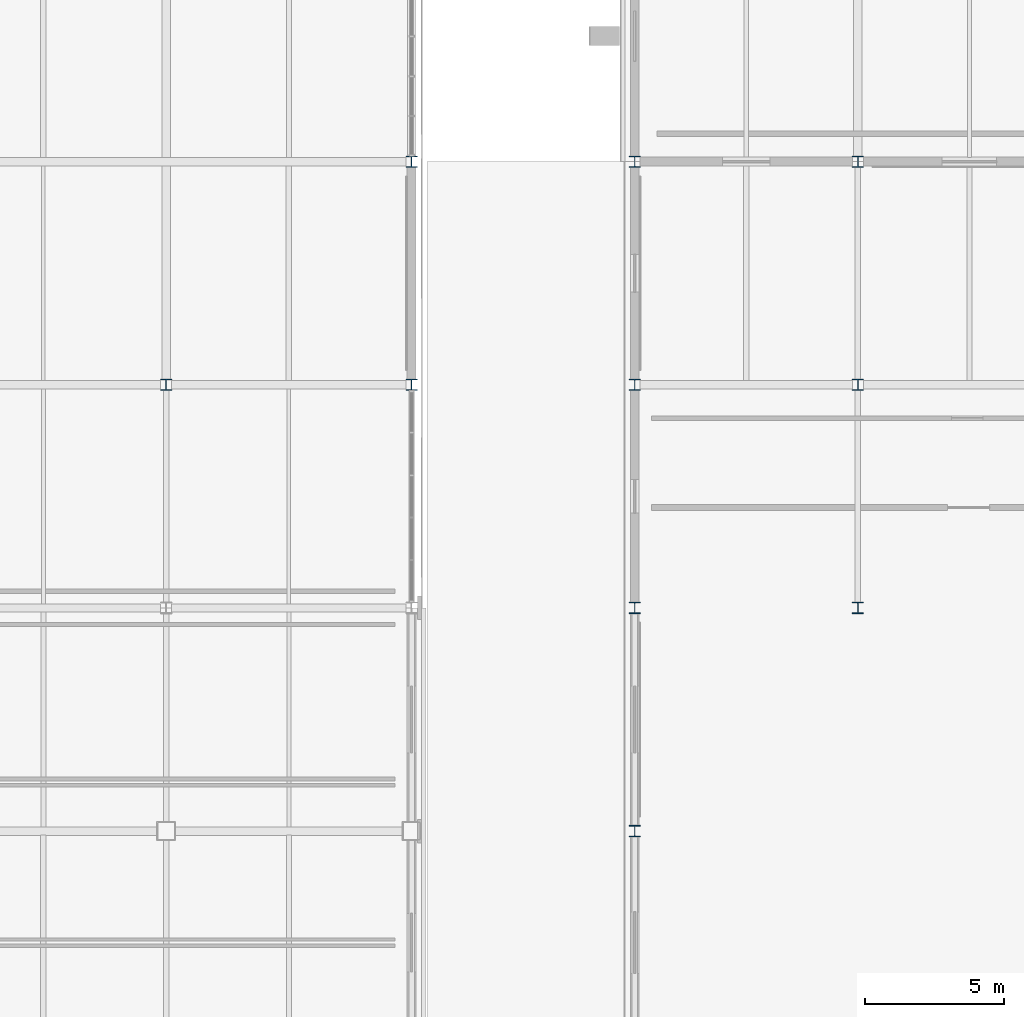
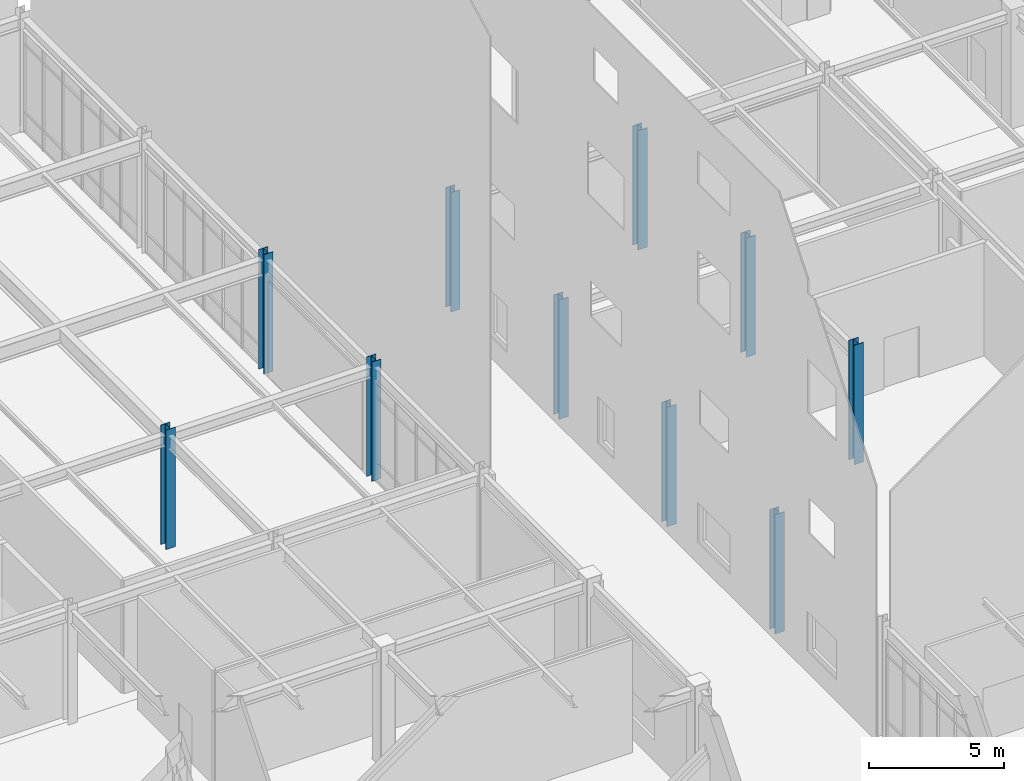
# One storey, part 11 of 119: 10 columns.
"""IFC4 building model written with IfcOpenShell, lengths in metres."""

from ifc_helpers import new_model, si_unit, direction, frame, origin, origin_2d, place, context, subcontext, project, spatial, i_section, extrude, material, material_profile, profile_set, type_object, element, save


model = new_model("IFC4")

# Units and contexts
model_context = context("Model", 3, precision=1e-05, world=origin(), true_north=direction((0.0, 1.0)))
body_context = subcontext(model_context, "Body", "Model", "MODEL_VIEW")
ifc_project = project(units=[si_unit("LENGTHUNIT", "METRE"), si_unit("AREAUNIT", "SQUARE_METRE"), si_unit("VOLUMEUNIT", "CUBIC_METRE"), si_unit("PLANEANGLEUNIT", "RADIAN"), si_unit("MASSUNIT", "GRAM", prefix="KILO")], contexts=[model_context])

# Site, building, storey
site_placement = place(None, origin())
site = spatial("IfcSite", under=ifc_project, at=site_placement, CompositionType="ELEMENT")
building_placement = place(site_placement, origin())
building = spatial("IfcBuilding", under=site, at=building_placement, Name="Zhaolan Boulevard Law Courts", CompositionType="ELEMENT")
storey_placement = place(building_placement, origin())
storey = spatial("IfcBuildingStorey", under=building, at=storey_placement, Name="L00", CompositionType="ELEMENT", Elevation=0.0)

# Columns
ifc_material = material(Name="Structural steel Q390B", Category="steel")
ifc_material_profile = material_profile(ifc_material, i_section(OverallWidth=0.39990234375, OverallDepth=0.39990234375, WebThickness=0.012939453125, FlangeThickness=0.02099609375, FilletRadius=0.02197265625, at=origin_2d()), Name="HW400x400")
ifc_profile_set = profile_set([ifc_material_profile], Name="Structural steel Q390B")
column_type = type_object("IfcColumnType", Name="COL HW400", PredefinedType="COLUMN", material=ifc_profile_set)
for number, where, z_axis, x_axis, name in (
    (1, (35.199951171875, 86.0, 0.0), (0.0, 0.0, 1.0), (1.0, 0.0, 0.0), "Column C-5M (L00)"),
    (2, (44.0, 86.0, 0.0), (0.0, 0.0, 1.0), (1.0, 0.0, 0.0), "Column C-6M (L00)"),
    (3, (44.0, 94.0, 0.0), (0.0, 0.0, 1.0), (1.0, 0.0, 0.0), "Column C-6N (L00)"),
    (4, (52.0, 70.0, 0.0), (0.0, 0.0, 1.0), (1.0, 0.0, 0.0), "Column C-7K (L00)"),
    (5, (52.0, 78.0, 0.0), (0.0, 0.0, 1.0), (1.0, 0.0, 0.0), "Column C-7L (L00)"),
    (6, (52.0, 86.0, 0.0), (0.0, 0.0, 1.0), (1.0, 0.0, 0.0), "Column C-7M (L00)"),
    (7, (52.0, 94.0, 0.0), (0.0, 0.0, 1.0), (1.0, 0.0, 0.0), "Column C-7N (L00)"),
    (8, (60.0, 78.0, 0.0), (0.0, 0.0, 1.0), (1.0, 0.0, 0.0), "Column C-8L (L00)"),
    (9, (60.0, 86.0, 0.0), (0.0, 0.0, 1.0), (1.0, 0.0, 0.0), "Column C-8M (L00)"),
    (10, (60.0, 94.0, 0.0), (0.0, 0.0, 1.0), (1.0, 0.0, 0.0), "Column C-8N (L00)"),
):
    element("IfcColumn", number, at=place(storey_placement, frame(where, z_axis=z_axis, x_axis=x_axis)), inside=storey, type_object=column_type, Name=name, PredefinedType="COLUMN", context=body_context, shape_type="SweptSolid", body=[
        extrude(i_section(OverallWidth=0.39990234375, OverallDepth=0.39990234375, WebThickness=0.012939453125, FlangeThickness=0.02099609375, FilletRadius=0.02197265625, at=origin_2d()), origin(), (0.0, 0.0, 1.0), 5.39990234375),
    ])

save(model, "model.ifc")
